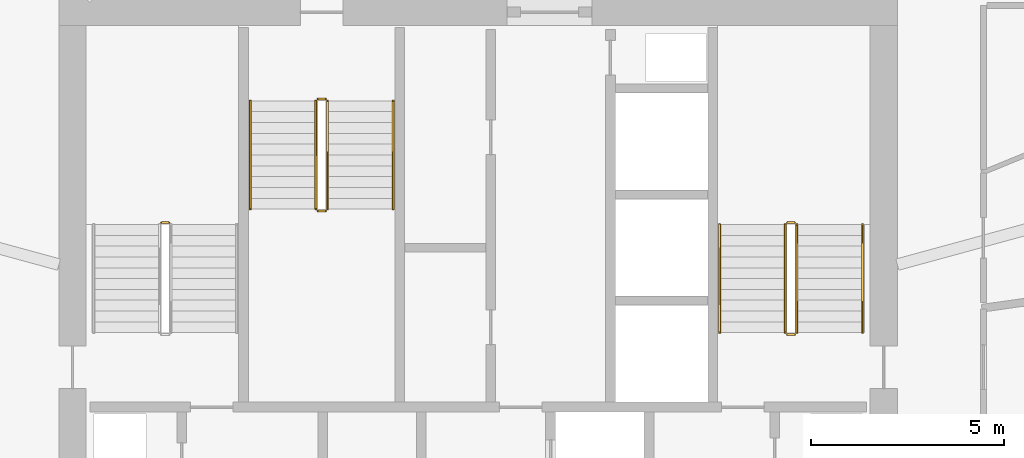
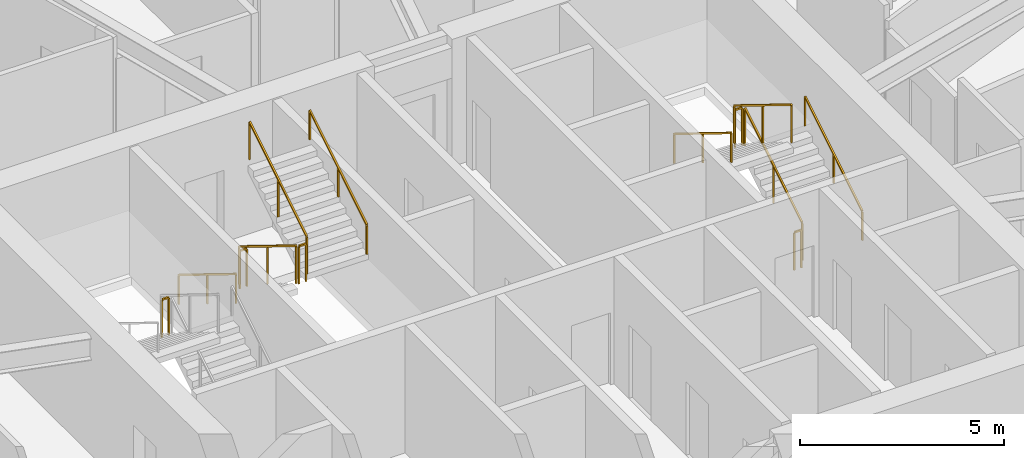
# One storey, part 25 of 26: 13 railings.
"""IFC4 building model written with IfcOpenShell, lengths in metres."""

from ifc_helpers import new_model, si_unit, direction, frame, origin, origin_2d, place, context, subcontext, project, spatial, rectangle, extrude, material, type_object, element, save


model = new_model("IFC4")

# Units and contexts
model_context = context("Model", 3, precision=1e-05, world=origin(), true_north=direction((0.0, 1.0)))
body_context = subcontext(model_context, "Body", "Model", "MODEL_VIEW")
ifc_project = project(units=[si_unit("LENGTHUNIT", "METRE"), si_unit("AREAUNIT", "SQUARE_METRE"), si_unit("VOLUMEUNIT", "CUBIC_METRE"), si_unit("PLANEANGLEUNIT", "RADIAN"), si_unit("MASSUNIT", "GRAM", prefix="KILO")], contexts=[model_context])

# Site, building, storey
site_placement = place(None, origin())
site = spatial("IfcSite", under=ifc_project, at=site_placement, CompositionType="ELEMENT")
building_placement = place(site_placement, origin())
building = spatial("IfcBuilding", under=site, at=building_placement, Name="Zuhravey Tower", CompositionType="ELEMENT")
storey_placement = place(building_placement, frame((0.0, 0.0, 158.0)))
storey = spatial("IfcBuildingStorey", under=building, at=storey_placement, Name="L39", CompositionType="ELEMENT", Elevation=158.0)

# Railings
ifc_material_1 = material(Name="Brushed stainless steel", Category="steel")
railing_type_1 = type_object("IfcRailingType", Name="Stair Wall Handrail 900", PredefinedType="HANDRAIL", material=ifc_material_1)
railing_1_placement = place(storey_placement, frame((45.949951171875, 33.199951171875, 0.172607421875)))
element("IfcRailing", 1, at=railing_1_placement, inside=storey, type_object=railing_type_1, Name="L39 ST2 stair handrail 1", PredefinedType="HANDRAIL", context=body_context, shape_type="SweptSolid", body=[
    extrude(rectangle(XDim=0.048095703125, YDim=0.048095703125, at=origin_2d()), frame((0.0, 0.001708984375, 0.876953125), z_axis=(0.0, 0.851089632645, 0.525020415988), x_axis=(-1.0, 0.0, 0.0)), (0.0, 0.0, 1.0), 3.285888671875),
    extrude(rectangle(XDim=0.0419921875, YDim=0.0419921875, at=origin_2d()), origin(), (0.0, 0.0, 1.0), 0.849853515625),
    extrude(rectangle(XDim=0.0419921875, YDim=0.0419921875, at=origin_2d()), frame((0.0, 1.39990234375, 0.86376953125)), (0.0, 0.0, 1.0), 0.849853515625),
    extrude(rectangle(XDim=0.0419921875, YDim=0.0419921875, at=origin_2d()), frame((0.0, 2.800048828125, 1.727294921875)), (0.0, 0.0, 1.0), 0.849853515625),
])
for number, where, name in (
    (2, (42.25, 36.0, 2.07275390625), "L39 ST2 stair handrail 2"),
    (3, (30.10009765625, 39.199951171875, 0.172607421875), "L39 ST3 stair handrail 1"),
):
    element("IfcRailing", number, at=place(storey_placement, frame(where)), inside=storey, type_object=railing_type_1, Name=name, PredefinedType="HANDRAIL", context=body_context, shape_type="SweptSolid", body=[
        extrude(rectangle(XDim=0.048095703125, YDim=0.048095703125, at=origin_2d()), frame((0.0, -0.001708984375, 0.876953125), z_axis=(0.0, -0.851089632645, 0.525020415988), x_axis=(1.0, 0.0, 0.0)), (0.0, 0.0, 1.0), 3.285888671875),
        extrude(rectangle(XDim=0.0419921875, YDim=0.0419921875, at=origin_2d()), origin(), (0.0, 0.0, 1.0), 0.849853515625),
        extrude(rectangle(XDim=0.0419921875, YDim=0.0419921875, at=origin_2d()), frame((0.0, -1.39990234375, 0.86376953125)), (0.0, 0.0, 1.0), 0.849853515625),
        extrude(rectangle(XDim=0.0419921875, YDim=0.0419921875, at=origin_2d()), frame((0.0, -2.800048828125, 1.727294921875)), (0.0, 0.0, 1.0), 0.849853515625),
    ])
railing_2_placement = place(storey_placement, frame((33.800048828125, 36.39990234375, 2.07275390625)))
element("IfcRailing", 4, at=railing_2_placement, inside=storey, type_object=railing_type_1, Name="L39 ST3 stair handrail 2", PredefinedType="HANDRAIL", context=body_context, shape_type="SweptSolid", body=[
    extrude(rectangle(XDim=0.048095703125, YDim=0.048095703125, at=origin_2d()), frame((0.0, 0.001708984375, 0.876953125), z_axis=(0.0, 0.851089632645, 0.525020415988), x_axis=(-1.0, 0.0, 0.0)), (0.0, 0.0, 1.0), 3.285888671875),
    extrude(rectangle(XDim=0.0419921875, YDim=0.0419921875, at=origin_2d()), origin(), (0.0, 0.0, 1.0), 0.849853515625),
    extrude(rectangle(XDim=0.0419921875, YDim=0.0419921875, at=origin_2d()), frame((0.0, 1.39990234375, 0.86376953125)), (0.0, 0.0, 1.0), 0.849853515625),
    extrude(rectangle(XDim=0.0419921875, YDim=0.0419921875, at=origin_2d()), frame((0.0, 2.800048828125, 1.727294921875)), (0.0, 0.0, 1.0), 0.849853515625),
])
ifc_material_2 = material(Name="Painted tubular steel", Category="steel")
railing_type_2 = type_object("IfcRailingType", Name="Stair Well Guardrail 1150", PredefinedType="GUARDRAIL", material=ifc_material_2)
railing_3_placement = place(storey_placement, frame((28.0, 36.050048828125, 1.89990234375)))
element("IfcRailing", 5, at=railing_3_placement, inside=storey, type_object=railing_type_2, Name="L39 ST1 stair guard 2", PredefinedType="GUARDRAIL", context=body_context, shape_type="SweptSolid", body=[
    extrude(rectangle(XDim=0.048095703125, YDim=0.048095703125, at=origin_2d()), frame((-0.001953125, 0.0, 1.1259765625), z_axis=(-1.0, 0.0, 0.0), x_axis=(0.0, -1.0, 0.0)), (0.0, 0.0, 1.0), 0.196044921875),
    extrude(rectangle(XDim=0.0419921875, YDim=0.0419921875, at=origin_2d()), origin(), (0.0, 0.0, 1.0), 1.099853515625),
    extrude(rectangle(XDim=0.0419921875, YDim=0.0419921875, at=origin_2d()), frame((-0.199951171875, 0.0, 0.0)), (0.0, 0.0, 1.0), 1.099853515625),
])
railing_4_placement = place(storey_placement, frame((44.25, 33.199951171875, 0.172607421875)))
element("IfcRailing", 6, at=railing_4_placement, inside=storey, type_object=railing_type_2, Name="L39 ST2 stair guard 1", PredefinedType="GUARDRAIL", context=body_context, shape_type="SweptSolid", body=[
    extrude(rectangle(XDim=0.048095703125, YDim=0.048095703125, at=origin_2d()), frame((0.0, 0.001708984375, 1.126953125), z_axis=(0.0, 0.851089632645, 0.525020415988), x_axis=(-1.0, 0.0, 0.0)), (0.0, 0.0, 1.0), 3.285888671875),
    extrude(rectangle(XDim=0.0419921875, YDim=0.0419921875, at=origin_2d()), origin(), (0.0, 0.0, 1.0), 1.099853515625),
    extrude(rectangle(XDim=0.0419921875, YDim=0.0419921875, at=origin_2d()), frame((0.0, 1.39990234375, 0.86376953125)), (0.0, 0.0, 1.0), 1.099853515625),
    extrude(rectangle(XDim=0.0419921875, YDim=0.0419921875, at=origin_2d()), frame((0.0, 2.800048828125, 1.727294921875)), (0.0, 0.0, 1.0), 1.099853515625),
])
railing_5_placement = place(storey_placement, frame((44.199951171875, 36.050048828125, 1.89990234375)))
element("IfcRailing", 7, at=railing_5_placement, inside=storey, type_object=railing_type_2, Name="L39 ST2 stair guard 2", PredefinedType="GUARDRAIL", context=body_context, shape_type="SweptSolid", body=[
    extrude(rectangle(XDim=0.048095703125, YDim=0.048095703125, at=origin_2d()), frame((-0.001953125, 0.0, 1.1259765625), z_axis=(-1.0, 0.0, 0.0), x_axis=(0.0, -1.0, 0.0)), (0.0, 0.0, 1.0), 0.196044921875),
    extrude(rectangle(XDim=0.0419921875, YDim=0.0419921875, at=origin_2d()), origin(), (0.0, 0.0, 1.0), 1.099853515625),
    extrude(rectangle(XDim=0.0419921875, YDim=0.0419921875, at=origin_2d()), frame((-0.199951171875, 0.0, 0.0)), (0.0, 0.0, 1.0), 1.099853515625),
])
railing_6_placement = place(storey_placement, frame((43.949951171875, 36.0, 2.07275390625)))
element("IfcRailing", 8, at=railing_6_placement, inside=storey, type_object=railing_type_2, Name="L39 ST2 stair guard 3", PredefinedType="GUARDRAIL", context=body_context, shape_type="SweptSolid", body=[
    extrude(rectangle(XDim=0.048095703125, YDim=0.048095703125, at=origin_2d()), frame((0.0, -0.001708984375, 1.126953125), z_axis=(0.0, -0.851089632645, 0.525020415988), x_axis=(1.0, 0.0, 0.0)), (0.0, 0.0, 1.0), 3.285888671875),
    extrude(rectangle(XDim=0.0419921875, YDim=0.0419921875, at=origin_2d()), origin(), (0.0, 0.0, 1.0), 1.099853515625),
    extrude(rectangle(XDim=0.0419921875, YDim=0.0419921875, at=origin_2d()), frame((0.0, -1.39990234375, 0.86376953125)), (0.0, 0.0, 1.0), 1.099853515625),
    extrude(rectangle(XDim=0.0419921875, YDim=0.0419921875, at=origin_2d()), frame((0.0, -2.800048828125, 1.727294921875)), (0.0, 0.0, 1.0), 1.099853515625),
])
railing_7_placement = place(storey_placement, frame((44.199951171875, 33.14990234375, 0.0)))
element("IfcRailing", 9, at=railing_7_placement, inside=storey, type_object=railing_type_2, Name="L39 ST2 stair guard 4", PredefinedType="GUARDRAIL", context=body_context, shape_type="SweptSolid", body=[
    extrude(rectangle(XDim=0.048095703125, YDim=0.048095703125, at=origin_2d()), frame((-0.001953125, 0.0, 1.1259765625), z_axis=(-1.0, 0.0, 0.0), x_axis=(0.0, -1.0, 0.0)), (0.0, 0.0, 1.0), 0.196044921875),
    extrude(rectangle(XDim=0.0419921875, YDim=0.0419921875, at=origin_2d()), origin(), (0.0, 0.0, 1.0), 1.099853515625),
    extrude(rectangle(XDim=0.0419921875, YDim=0.0419921875, at=origin_2d()), frame((-0.199951171875, 0.0, 0.0)), (0.0, 0.0, 1.0), 1.099853515625),
])
railing_8_placement = place(storey_placement, frame((31.800048828125, 39.199951171875, 0.172607421875)))
element("IfcRailing", 10, at=railing_8_placement, inside=storey, type_object=railing_type_2, Name="L39 ST3 stair guard 1", PredefinedType="GUARDRAIL", context=body_context, shape_type="SweptSolid", body=[
    extrude(rectangle(XDim=0.048095703125, YDim=0.048095703125, at=origin_2d()), frame((0.0, -0.001708984375, 1.126953125), z_axis=(0.0, -0.851089632645, 0.525020415988), x_axis=(1.0, 0.0, 0.0)), (0.0, 0.0, 1.0), 3.285888671875),
    extrude(rectangle(XDim=0.0419921875, YDim=0.0419921875, at=origin_2d()), origin(), (0.0, 0.0, 1.0), 1.099853515625),
    extrude(rectangle(XDim=0.0419921875, YDim=0.0419921875, at=origin_2d()), frame((0.0, -1.39990234375, 0.86376953125)), (0.0, 0.0, 1.0), 1.099853515625),
    extrude(rectangle(XDim=0.0419921875, YDim=0.0419921875, at=origin_2d()), frame((0.0, -2.800048828125, 1.727294921875)), (0.0, 0.0, 1.0), 1.099853515625),
])
railing_9_placement = place(storey_placement, frame((31.85009765625, 36.35009765625, 1.89990234375)))
element("IfcRailing", 11, at=railing_9_placement, inside=storey, type_object=railing_type_2, Name="L39 ST3 stair guard 2", PredefinedType="GUARDRAIL", context=body_context, shape_type="SweptSolid", body=[
    extrude(rectangle(XDim=0.048095703125, YDim=0.048095703125, at=origin_2d()), frame((0.001953125, 0.0, 1.1259765625), z_axis=(1.0, 0.0, 0.0), x_axis=(0.0, 1.0, 0.0)), (0.0, 0.0, 1.0), 0.196044921875),
    extrude(rectangle(XDim=0.0419921875, YDim=0.0419921875, at=origin_2d()), origin(), (0.0, 0.0, 1.0), 1.099853515625),
    extrude(rectangle(XDim=0.0419921875, YDim=0.0419921875, at=origin_2d()), frame((0.199951171875, 0.0, 0.0)), (0.0, 0.0, 1.0), 1.099853515625),
])
railing_10_placement = place(storey_placement, frame((32.10009765625, 36.39990234375, 2.07275390625)))
element("IfcRailing", 12, at=railing_10_placement, inside=storey, type_object=railing_type_2, Name="L39 ST3 stair guard 3", PredefinedType="GUARDRAIL", context=body_context, shape_type="SweptSolid", body=[
    extrude(rectangle(XDim=0.048095703125, YDim=0.048095703125, at=origin_2d()), frame((0.0, 0.001708984375, 1.126953125), z_axis=(0.0, 0.851089632645, 0.525020415988), x_axis=(-1.0, 0.0, 0.0)), (0.0, 0.0, 1.0), 3.285888671875),
    extrude(rectangle(XDim=0.0419921875, YDim=0.0419921875, at=origin_2d()), origin(), (0.0, 0.0, 1.0), 1.099853515625),
    extrude(rectangle(XDim=0.0419921875, YDim=0.0419921875, at=origin_2d()), frame((0.0, 1.39990234375, 0.86376953125)), (0.0, 0.0, 1.0), 1.099853515625),
    extrude(rectangle(XDim=0.0419921875, YDim=0.0419921875, at=origin_2d()), frame((0.0, 2.800048828125, 1.727294921875)), (0.0, 0.0, 1.0), 1.099853515625),
])
railing_11_placement = place(storey_placement, frame((31.85009765625, 39.25, 0.0)))
element("IfcRailing", 13, at=railing_11_placement, inside=storey, type_object=railing_type_2, Name="L39 ST3 stair guard 4", PredefinedType="GUARDRAIL", context=body_context, shape_type="SweptSolid", body=[
    extrude(rectangle(XDim=0.048095703125, YDim=0.048095703125, at=origin_2d()), frame((0.001953125, 0.0, 1.1259765625), z_axis=(1.0, 0.0, 0.0), x_axis=(0.0, 1.0, 0.0)), (0.0, 0.0, 1.0), 0.196044921875),
    extrude(rectangle(XDim=0.0419921875, YDim=0.0419921875, at=origin_2d()), origin(), (0.0, 0.0, 1.0), 1.099853515625),
    extrude(rectangle(XDim=0.0419921875, YDim=0.0419921875, at=origin_2d()), frame((0.199951171875, 0.0, 0.0)), (0.0, 0.0, 1.0), 1.099853515625),
])

save(model, "model.ifc")
